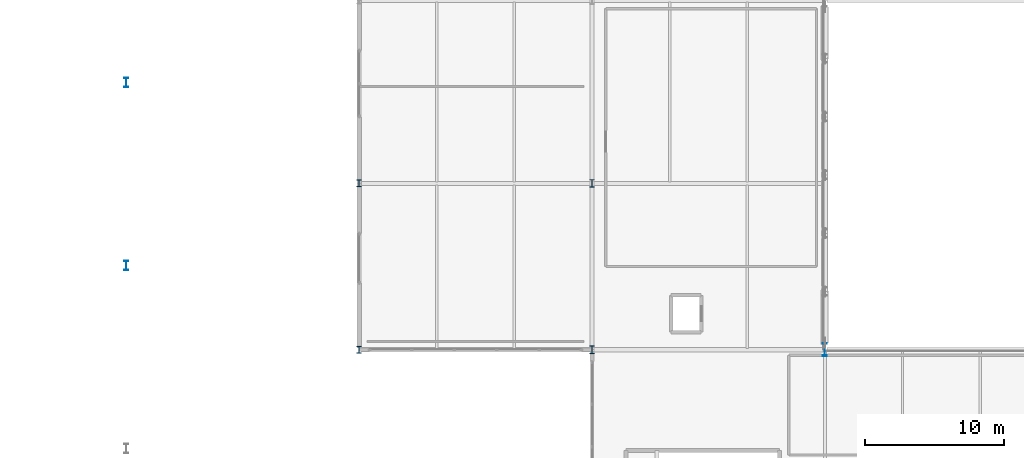
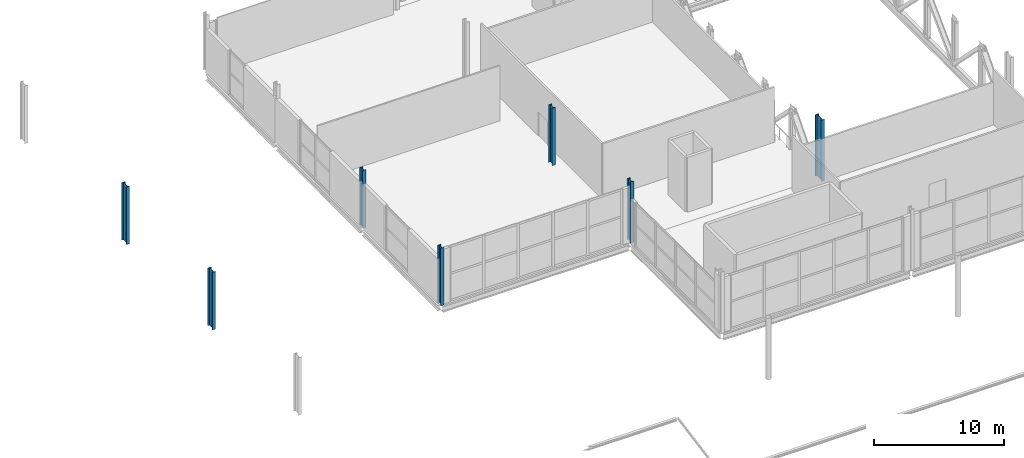
# One storey, part 2 of 84: 7 columns.
"""IFC4 building model written with IfcOpenShell, lengths in metres."""

from ifc_helpers import new_model, si_unit, direction, frame, origin, origin_2d, place, context, subcontext, project, spatial, i_section, extrude, material, material_profile, profile_set, type_object, element, save


model = new_model("IFC4")

# Units and contexts
model_context = context("Model", 3, precision=1e-05, world=origin(), true_north=direction((0.0, 1.0)))
body_context = subcontext(model_context, "Body", "Model", "MODEL_VIEW")
ifc_project = project(units=[si_unit("LENGTHUNIT", "METRE"), si_unit("AREAUNIT", "SQUARE_METRE"), si_unit("VOLUMEUNIT", "CUBIC_METRE"), si_unit("PLANEANGLEUNIT", "RADIAN"), si_unit("MASSUNIT", "GRAM", prefix="KILO")], contexts=[model_context])

# Site, building, storey
site_placement = place(None, origin())
site = spatial("IfcSite", under=ifc_project, at=site_placement, CompositionType="ELEMENT")
building_placement = place(site_placement, origin())
building = spatial("IfcBuilding", under=site, at=building_placement, Name="Kimbaza Rail Terminus", CompositionType="ELEMENT")
storey_placement = place(building_placement, frame((0.0, 0.0, 5.39990234375)))
storey = spatial("IfcBuildingStorey", under=building, at=storey_placement, Name="L01", CompositionType="ELEMENT", Elevation=5.39990234375)

# Columns
ifc_material_1 = material(Name="Steel S355", Category="steel")
ifc_material_profile_1 = material_profile(ifc_material_1, i_section(OverallWidth=0.300048828125, OverallDepth=0.5, WebThickness=0.014404296875, FlangeThickness=0.028076171875, FilletRadius=0.027099609375, at=origin_2d()), Name="HEB 500")
ifc_profile_set_1 = profile_set([ifc_material_profile_1], Name="Steel S355")
column_type_1 = type_object("IfcColumnType", Name="STR-COL-HEB500", PredefinedType="COLUMN", material=ifc_profile_set_1)
for number, where, z_axis, x_axis, name in (
    (1, (38.39990234375, 55.0, 0.0), (0.0, 0.0, 1.0), (1.0, 0.0, 0.0), "Concourse Outer Wing Column L01"),
    (2, (38.39990234375, 67.0, 0.0), (0.0, 0.0, 1.0), (1.0, 0.0, 0.0), "Concourse Outer Wing Column L01"),
):
    element("IfcColumn", number, at=place(storey_placement, frame(where, z_axis=z_axis, x_axis=x_axis)), inside=storey, type_object=column_type_1, Name=name, PredefinedType="COLUMN", context=body_context, shape_type="SweptSolid", body=[
        extrude(i_section(OverallWidth=0.300048828125, OverallDepth=0.5, WebThickness=0.014404296875, FlangeThickness=0.028076171875, FilletRadius=0.027099609375, at=origin_2d()), origin(), (0.0, 0.0, 1.0), 5.400146484375),
    ])
ifc_material_2 = material(Name="Steel S355", Category="steel")
ifc_material_profile_2 = material_profile(ifc_material_2, i_section(OverallWidth=0.300048828125, OverallDepth=0.550048828125, WebThickness=0.014892578125, FlangeThickness=0.029052734375, FilletRadius=0.027099609375, at=origin_2d()), Name="HEB 550")
ifc_profile_set_2 = profile_set([ifc_material_profile_2], Name="Steel S355")
column_type_2 = type_object("IfcColumnType", Name="STR-COL-HEB550", PredefinedType="COLUMN", material=ifc_profile_set_2)
column_1_placement = place(storey_placement, frame((55.199951171875, 55.0, 0.0), z_axis=(0.0, 0.0, 1.0), x_axis=(1.0, 0.0, 0.0)))
element("IfcColumn", 3, at=column_1_placement, inside=storey, type_object=column_type_2, Name="Ticket Hall Pier L01", PredefinedType="COLUMN", context=body_context, shape_type="SweptSolid", body=[
    extrude(i_section(OverallWidth=0.300048828125, OverallDepth=0.550048828125, WebThickness=0.014892578125, FlangeThickness=0.029052734375, FilletRadius=0.027099609375, at=origin_2d()), origin(), (0.0, 0.0, 1.0), 5.75),
])
column_2_placement = place(storey_placement, frame((55.199951171875, 67.0, 0.0), z_axis=(0.0, 0.0, 1.0), x_axis=(1.0, 0.0, 0.0)))
element("IfcColumn", 4, at=column_2_placement, inside=storey, type_object=column_type_2, Name="Flank Concourse Column L01", PredefinedType="COLUMN", context=body_context, shape_type="SweptSolid", body=[
    extrude(i_section(OverallWidth=0.300048828125, OverallDepth=0.550048828125, WebThickness=0.014892578125, FlangeThickness=0.029052734375, FilletRadius=0.027099609375, at=origin_2d()), origin(), (0.0, 0.0, 1.0), 5.400146484375),
])
ifc_material_3 = material(Name="Steel S355", Category="steel")
ifc_material_profile_3 = material_profile(ifc_material_3, i_section(OverallWidth=0.303955078125, OverallDepth=0.716064453125, WebThickness=0.02099609375, FlangeThickness=0.0400390625, FilletRadius=0.027099609375, at=origin_2d()), Name="HEM 700")
ifc_profile_set_3 = profile_set([ifc_material_profile_3], Name="Steel S355")
column_type_3 = type_object("IfcColumnType", Name="STR-COL-HEM700", PredefinedType="COLUMN", material=ifc_profile_set_3)
for number, where, z_axis, x_axis, name in (
    (5, (21.60009765625, 61.075927734375, 0.0), (0.0, 0.0, 1.0), (1.0, 0.0, 0.0), "Viaduct Pier Column L01 VP-01"),
    (6, (21.60009765625, 74.27587890625, 0.0), (0.0, 0.0, 1.0), (1.0, 0.0, 0.0), "Viaduct Pier Column L01 VP-01"),
):
    element("IfcColumn", number, at=place(storey_placement, frame(where, z_axis=z_axis, x_axis=x_axis)), inside=storey, type_object=column_type_3, Name=name, PredefinedType="COLUMN", context=body_context, shape_type="SweptSolid", body=[
        extrude(i_section(OverallWidth=0.303955078125, OverallDepth=0.716064453125, WebThickness=0.02099609375, FlangeThickness=0.0400390625, FilletRadius=0.027099609375, at=origin_2d()), origin(), (0.0, 0.0, 1.0), 5.400146484375),
    ])
ifc_material_4 = material(Name="Steel S355", Category="steel")
ifc_material_profile_4 = material_profile(ifc_material_4, i_section(OverallWidth=0.302001953125, OverallDepth=0.909912109375, WebThickness=0.02099609375, FlangeThickness=0.0400390625, FilletRadius=0.030029296875, at=origin_2d()), Name="HEM 900")
ifc_profile_set_4 = profile_set([ifc_material_profile_4], Name="Steel S355")
column_type_4 = type_object("IfcColumnType", Name="STR-COL-HEM900", PredefinedType="COLUMN", material=ifc_profile_set_4)
column_3_placement = place(storey_placement, frame((72.0, 55.0, 0.0), z_axis=(0.0, 0.0, 1.0), x_axis=(1.0, 0.0, 0.0)))
element("IfcColumn", 7, at=column_3_placement, inside=storey, type_object=column_type_4, Name="Ticket Hall Pier L01", PredefinedType="COLUMN", context=body_context, shape_type="SweptSolid", body=[
    extrude(i_section(OverallWidth=0.302001953125, OverallDepth=0.909912109375, WebThickness=0.02099609375, FlangeThickness=0.0400390625, FilletRadius=0.030029296875, at=origin_2d()), origin(), (0.0, 0.0, 1.0), 5.75),
])

save(model, "model.ifc")
